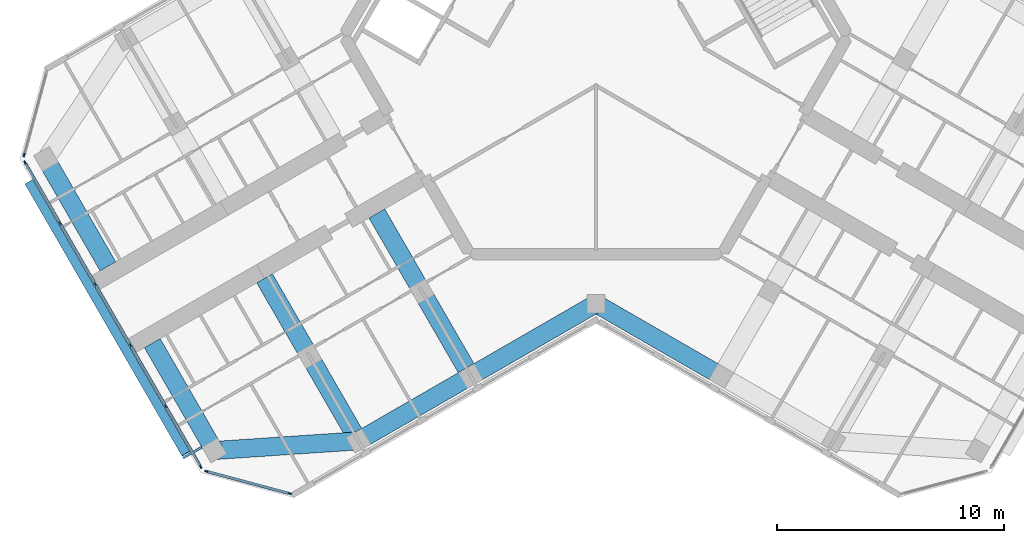
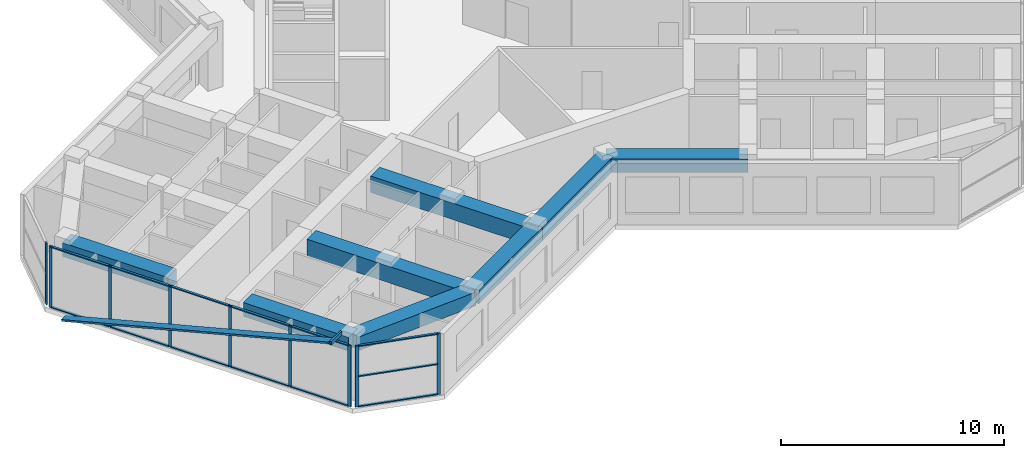
# One storey, part 2 of 14: 24 members, 8 beams, 3 elements without a shape of their own.
"""IFC4 building model written with IfcOpenShell, lengths in metres."""

from ifc_helpers import new_model, si_unit, direction, frame, origin, origin_2d, place, context, subcontext, project, spatial, rectangle, hollow_rectangle, extrude, material, material_profile, profile_set, type_object, element, aggregate, save


model = new_model("IFC4")

# Units and contexts
model_context = context("Model", 3, precision=1e-05, world=origin(), true_north=direction((0.0, 1.0)))
body_context = subcontext(model_context, "Body", "Model", "MODEL_VIEW")
ifc_project = project(units=[si_unit("LENGTHUNIT", "METRE"), si_unit("AREAUNIT", "SQUARE_METRE"), si_unit("VOLUMEUNIT", "CUBIC_METRE"), si_unit("PLANEANGLEUNIT", "RADIAN"), si_unit("MASSUNIT", "GRAM", prefix="KILO")], contexts=[model_context])

# Site, building, storey
site_placement = place(None, origin())
site = spatial("IfcSite", under=ifc_project, at=site_placement, CompositionType="ELEMENT")
building_placement = place(site_placement, origin())
building = spatial("IfcBuilding", under=site, at=building_placement, Name="Kosmar Iwan School Tower", CompositionType="ELEMENT")
storey_placement = place(building_placement, frame((0.0, 0.0, 292.60009765625)))
storey = spatial("IfcBuildingStorey", under=building, at=storey_placement, Name="L74", CompositionType="ELEMENT", Elevation=292.60009765625)

# Members
ifc_material_1 = material(Name="Black anodised aluminium", Category="aluminium")
ifc_material_profile_1 = material_profile(ifc_material_1, rectangle(XDim=0.10009765625, YDim=0.39990234375, at=origin_2d()), Name="FIN 100x400")
ifc_profile_set_1 = profile_set([ifc_material_profile_1], Name="Black anodised aluminium")
member_type_1 = type_object("IfcMemberType", Name="Diagonal fin 100x400", PredefinedType="USERDEFINED", material=ifc_profile_set_1)
member_1_placement = place(storey_placement, frame((-24.926513671875, -6.426025390625, -0.150146484375), z_axis=(0.483800388566, -0.837965217343, 0.2524905514), x_axis=(-0.126245460598, 0.218663124976, 0.96759935999)))
element("IfcMember", 1, at=member_1_placement, inside=storey, type_object=member_type_1, Name="Diagonal fin L74-F13", ObjectType="FIN", PredefinedType="USERDEFINED", context=body_context, shape_type="SweptSolid", body=[
    extrude(rectangle(XDim=0.10009765625, YDim=0.39990234375, at=origin_2d()), origin(), (0.0, 0.0, 1.0), 14.25830078125),
])
ifc_material_2 = material(Name="Steel S355", Category="steel")
ifc_material_profile_2 = material_profile(ifc_material_2, hollow_rectangle(XDim=0.10009765625, YDim=0.199951171875, WallThickness=0.008056640625, at=origin_2d()), Name="RHS 200x100x8")
ifc_profile_set_2 = profile_set([ifc_material_profile_2], Name="Steel S355")
member_type_2 = type_object("IfcMemberType", Name="Fin bracket RHS 200x100", PredefinedType="USERDEFINED", material=ifc_profile_set_2)
member_2_placement = place(storey_placement, frame((-17.327880859375, -18.087158203125, 3.474853515625), z_axis=(-0.865988727248, -0.500063520245, 0.0), x_axis=(0.500063520245, -0.865988727248, 0.0)))
element("IfcMember", 2, at=member_2_placement, inside=storey, type_object=member_type_2, Name="Fin bracket L75", ObjectType="FIN BRACKET", PredefinedType="USERDEFINED", context=body_context, shape_type="SweptSolid", body=[
    extrude(hollow_rectangle(XDim=0.10009765625, YDim=0.199951171875, WallThickness=0.008056640625, at=origin_2d()), origin(), (0.0, 0.0, 1.0), 0.9501953125),
])

# Curtain wall, member
ifc_material_3 = material(Name="Dark glass in black aluminium frame", Category="aluminium")
curtain_wall_type_1 = type_object("IfcCurtainWallType", Name="Chamfer curtain wall dark glass", PredefinedType="USERDEFINED", material=ifc_material_3)
curtain_wall_1_placement = place(storey_placement, origin())
curtain_wall_1 = element("IfcCurtainWall", 3, at=curtain_wall_1_placement, inside=storey, type_object=curtain_wall_type_1, Name="Curtain wall L74-F12", ObjectType="FACETED CURTAIN WALL", PredefinedType="USERDEFINED")
ifc_material_4 = material(Name="Black anodised aluminium", Category="aluminium")
ifc_material_profile_3 = material_profile(ifc_material_4, rectangle(XDim=0.06005859375, YDim=0.159912109375, at=origin_2d()), Name="MULLION 60x160")
ifc_profile_set_3 = profile_set([ifc_material_profile_3], Name="Black anodised aluminium")
member_type_3 = type_object("IfcMemberType", Name="Mullion 60x160", PredefinedType="MULLION", material=ifc_profile_set_3)
member_3_placement = place(storey_placement, frame((-25.141845703125, -5.24853515625, 0.0), z_axis=(0.0, 0.0, 1.0), x_axis=(0.965925875495, -0.258818861462, 0.0)))
member_3 = element("IfcMember", 4, at=member_3_placement, type_object=member_type_3, Name="CW2 mullion 2", PredefinedType="MULLION", context=body_context, shape_type="SweptSolid", body=[
    extrude(rectangle(XDim=0.06005859375, YDim=0.159912109375, at=origin_2d()), origin(), (0.0, 0.0, 1.0), 3.349853515625),
])
aggregate(curtain_wall_1, [member_3])

# Curtain wall, members
ifc_material_5 = material(Name="Dark glass in black aluminium frame", Category="aluminium")
curtain_wall_type_2 = type_object("IfcCurtainWallType", Name="Tower curtain wall dark glass", PredefinedType="USERDEFINED", material=ifc_material_5)
curtain_wall_2_placement = place(storey_placement, origin())
curtain_wall_2 = element("IfcCurtainWall", 5, at=curtain_wall_2_placement, inside=storey, type_object=curtain_wall_type_2, Name="Curtain wall L74-F13", ObjectType="UNITISED CURTAIN WALL", PredefinedType="USERDEFINED")
member_4_placement = place(storey_placement, frame((-25.098388671875, -5.578369140625, 0.0), z_axis=(0.0, 0.0, 1.0), x_axis=(0.866025405329, 0.499999997325, 0.0)))
member_4 = element("IfcMember", 6, at=member_4_placement, type_object=member_type_3, Name="CW1 mullion 1", PredefinedType="MULLION", context=body_context, shape_type="SweptSolid", body=[
    extrude(rectangle(XDim=0.06005859375, YDim=0.159912109375, at=origin_2d()), origin(), (0.0, 0.0, 1.0), 3.349853515625),
])
member_5_placement = place(storey_placement, frame((-23.563720703125, -8.236328125, 0.0), z_axis=(0.0, 0.0, 1.0), x_axis=(0.866025405329, 0.499999997325, 0.0)))
member_5 = element("IfcMember", 7, at=member_5_placement, type_object=member_type_3, Name="CW1 mullion 2", PredefinedType="MULLION", context=body_context, shape_type="SweptSolid", body=[
    extrude(rectangle(XDim=0.06005859375, YDim=0.159912109375, at=origin_2d()), origin(), (0.0, 0.0, 1.0), 3.349853515625),
])
member_6_placement = place(storey_placement, frame((-22.01416015625, -10.92041015625, 0.0), z_axis=(0.0, 0.0, 1.0), x_axis=(0.866025405329, 0.499999997325, 0.0)))
member_6 = element("IfcMember", 8, at=member_6_placement, type_object=member_type_3, Name="CW1 mullion 3", PredefinedType="MULLION", context=body_context, shape_type="SweptSolid", body=[
    extrude(rectangle(XDim=0.06005859375, YDim=0.159912109375, at=origin_2d()), origin(), (0.0, 0.0, 1.0), 3.349853515625),
])
member_7_placement = place(storey_placement, frame((-20.46435546875, -13.6044921875, 0.0), z_axis=(0.0, 0.0, 1.0), x_axis=(0.866025405329, 0.499999997325, 0.0)))
member_7 = element("IfcMember", 9, at=member_7_placement, type_object=member_type_3, Name="CW1 mullion 4", PredefinedType="MULLION", context=body_context, shape_type="SweptSolid", body=[
    extrude(rectangle(XDim=0.06005859375, YDim=0.159912109375, at=origin_2d()), origin(), (0.0, 0.0, 1.0), 3.349853515625),
])
member_8_placement = place(storey_placement, frame((-18.914794921875, -16.28857421875, 0.0), z_axis=(0.0, 0.0, 1.0), x_axis=(0.866025405329, 0.499999997325, 0.0)))
member_8 = element("IfcMember", 10, at=member_8_placement, type_object=member_type_3, Name="CW1 mullion 5", PredefinedType="MULLION", context=body_context, shape_type="SweptSolid", body=[
    extrude(rectangle(XDim=0.06005859375, YDim=0.159912109375, at=origin_2d()), origin(), (0.0, 0.0, 1.0), 3.349853515625),
])
member_9_placement = place(storey_placement, frame((-17.380126953125, -18.94677734375, 0.0), z_axis=(0.0, 0.0, 1.0), x_axis=(0.866025405329, 0.499999997325, 0.0)))
member_9 = element("IfcMember", 11, at=member_9_placement, type_object=member_type_3, Name="CW1 mullion 6", PredefinedType="MULLION", context=body_context, shape_type="SweptSolid", body=[
    extrude(rectangle(XDim=0.06005859375, YDim=0.159912109375, at=origin_2d()), origin(), (0.0, 0.0, 1.0), 3.349853515625),
])

curtain_wall_3_placement = place(storey_placement, origin())
curtain_wall_3 = element("IfcCurtainWall", 12, at=curtain_wall_3_placement, inside=storey, type_object=curtain_wall_type_1, Name="Curtain wall L74-F14", ObjectType="FACETED CURTAIN WALL", PredefinedType="USERDEFINED")
member_10_placement = place(storey_placement, frame((-17.1162109375, -19.149169921875, 0.0), z_axis=(0.0, 0.0, 1.0), x_axis=(0.258818861462, 0.965925875495, 0.0)))
member_10 = element("IfcMember", 13, at=member_10_placement, type_object=member_type_3, Name="CW2 mullion 1", PredefinedType="MULLION", context=body_context, shape_type="SweptSolid", body=[
    extrude(rectangle(XDim=0.06005859375, YDim=0.159912109375, at=origin_2d()), origin(), (0.0, 0.0, 1.0), 3.349853515625),
])
member_11_placement = place(storey_placement, frame((-13.466064453125, -20.127197265625, 0.0), z_axis=(0.0, 0.0, 1.0), x_axis=(0.258818861462, 0.965925875495, 0.0)))
member_11 = element("IfcMember", 14, at=member_11_placement, type_object=member_type_3, Name="CW2 mullion 2", PredefinedType="MULLION", context=body_context, shape_type="SweptSolid", body=[
    extrude(rectangle(XDim=0.06005859375, YDim=0.159912109375, at=origin_2d()), origin(), (0.0, 0.0, 1.0), 3.349853515625),
])

# Beams
ifc_material_6 = material(Name="Concrete C50/60", Category="concrete")
ifc_material_profile_4 = material_profile(ifc_material_6, rectangle(XDim=0.800048828125, YDim=0.75, at=origin_2d()), Name="RC 800x750")
ifc_profile_set_4 = profile_set([ifc_material_profile_4], Name="Concrete C50/60")
beam_type_1 = type_object("IfcBeamType", Name="RC edge beam 800x750", PredefinedType="BEAM", material=ifc_profile_set_4)
beam_1_placement = place(storey_placement, frame((0.0, -11.77783203125, 2.974853515625), z_axis=(-0.866014293216, -0.500019243575, 0.0), x_axis=(0.500019243575, -0.866014293216, 0.0)))
element("IfcBeam", 15, at=beam_1_placement, inside=storey, type_object=beam_type_1, Name="Edge beam BL1", PredefinedType="BEAM", context=body_context, shape_type="SweptSolid", body=[
    extrude(rectangle(XDim=0.800048828125, YDim=0.75, at=origin_2d()), origin(), (0.0, 0.0, 1.0), 6.361083984375),
])
beam_2_placement = place(storey_placement, frame((-5.5087890625, -14.95849609375, 2.974853515625), z_axis=(-0.866033658841, -0.49998570155, 0.0), x_axis=(0.49998570155, -0.866033658841, 0.0)))
element("IfcBeam", 16, at=beam_2_placement, inside=storey, type_object=beam_type_1, Name="Edge beam BL2", PredefinedType="BEAM", context=body_context, shape_type="SweptSolid", body=[
    extrude(rectangle(XDim=0.800048828125, YDim=0.75, at=origin_2d()), origin(), (0.0, 0.0, 1.0), 5.699951171875),
])
beam_3_placement = place(storey_placement, frame((0.0, -11.77783203125, 2.974853515625), z_axis=(0.866014293216, -0.500019243575, 0.0), x_axis=(0.500019243575, 0.866014293216, 0.0)))
element("IfcBeam", 17, at=beam_3_placement, inside=storey, type_object=beam_type_1, Name="Edge beam CR1", PredefinedType="BEAM", context=body_context, shape_type="SweptSolid", body=[
    extrude(rectangle(XDim=0.800048828125, YDim=0.75, at=origin_2d()), origin(), (0.0, 0.0, 1.0), 6.361083984375),
])
ifc_material_7 = material(Name="Concrete C50/60", Category="concrete")
ifc_material_profile_5 = material_profile(ifc_material_7, rectangle(XDim=0.800048828125, YDim=0.75, at=origin_2d()), Name="RC 800x750")
ifc_profile_set_5 = profile_set([ifc_material_profile_5], Name="Concrete C50/60")
beam_type_2 = type_object("IfcBeamType", Name="RC tip beam 800x750", PredefinedType="BEAM", material=ifc_profile_set_5)
beam_4_placement = place(storey_placement, frame((-10.445068359375, -17.808349609375, 2.974853515625), z_axis=(-0.997755118724, -0.066968074933, 0.0), x_axis=(0.066968074933, -0.997755118724, 0.0)))
element("IfcBeam", 18, at=beam_4_placement, inside=storey, type_object=beam_type_2, Name="Tip beam BL", PredefinedType="BEAM", context=body_context, shape_type="SweptSolid", body=[
    extrude(rectangle(XDim=0.800048828125, YDim=0.75, at=origin_2d()), origin(), (0.0, 0.0, 1.0), 6.3505859375),
])
beam_5_placement = place(storey_placement, frame((-16.781494140625, -18.233642578125, 2.974853515625), z_axis=(-0.500002931134, 0.866023711487, 0.0), x_axis=(-0.866023711487, -0.500002931134, 0.0)))
element("IfcBeam", 19, at=beam_5_placement, inside=storey, type_object=beam_type_2, Name="Tip beam BL to corridor wall", PredefinedType="BEAM", context=body_context, shape_type="SweptSolid", body=[
    extrude(rectangle(XDim=0.800048828125, YDim=0.75, at=origin_2d()), origin(), (0.0, 0.0, 1.0), 5.4501953125),
])
beam_6_placement = place(storey_placement, frame((-24.181396484375, -5.41650390625, 2.974853515625), z_axis=(0.499988730927, -0.866031909889, 0.0), x_axis=(0.866031909889, 0.499988730927, 0.0)))
element("IfcBeam", 20, at=beam_6_placement, inside=storey, type_object=beam_type_2, Name="Tip beam BR to corridor wall", PredefinedType="BEAM", context=body_context, shape_type="SweptSolid", body=[
    extrude(rectangle(XDim=0.800048828125, YDim=0.75, at=origin_2d()), origin(), (0.0, 0.0, 1.0), 5.449951171875),
])
ifc_material_8 = material(Name="Concrete C50/60", Category="concrete")
ifc_material_profile_6 = material_profile(ifc_material_8, rectangle(XDim=0.800048828125, YDim=0.89990234375, at=origin_2d()), Name="RC 800x900")
ifc_profile_set_6 = profile_set([ifc_material_profile_6], Name="Concrete C50/60")
beam_type_3 = type_object("IfcBeamType", Name="RC transverse beam 800x900", PredefinedType="BEAM", material=ifc_profile_set_6)
beam_7_placement = place(storey_placement, frame((-5.5087890625, -14.95849609375, 2.89990234375), z_axis=(-0.499996545922, 0.866027397988, 0.0), x_axis=(-0.866027397988, -0.499996545922, 0.0)))
element("IfcBeam", 21, at=beam_7_placement, inside=storey, type_object=beam_type_3, Name="Transverse beam BL1", PredefinedType="BEAM", context=body_context, shape_type="SweptSolid", body=[
    extrude(rectangle(XDim=0.800048828125, YDim=0.89990234375, at=origin_2d()), origin(), (0.0, 0.0, 1.0), 8.25),
])
beam_8_placement = place(storey_placement, frame((-10.445068359375, -17.808349609375, 2.89990234375), z_axis=(-0.500009360108, 0.866019999656, 0.0), x_axis=(-0.866019999656, -0.500009360108, 0.0)))
element("IfcBeam", 22, at=beam_8_placement, inside=storey, type_object=beam_type_3, Name="Transverse beam BL2", PredefinedType="BEAM", context=body_context, shape_type="SweptSolid", body=[
    extrude(rectangle(XDim=0.800048828125, YDim=0.89990234375, at=origin_2d()), origin(), (0.0, 0.0, 1.0), 8.249755859375),
])

# Member
ifc_material_9 = material(Name="Black anodised aluminium", Category="aluminium")
ifc_material_profile_7 = material_profile(ifc_material_9, rectangle(XDim=0.1201171875, YDim=0.06005859375, at=origin_2d()), Name="TRANSOM 60x120")
ifc_profile_set_7 = profile_set([ifc_material_profile_7], Name="Black anodised aluminium")
member_type_4 = type_object("IfcMemberType", Name="Transom 60x120", PredefinedType="USERDEFINED", material=ifc_profile_set_7)
member_12_placement = place(storey_placement, frame((-25.08349609375, -5.604248046875, 0.02978515625), z_axis=(0.499986971506, -0.866032925658, 0.0), x_axis=(0.866032925658, 0.499986971506, 0.0)))
member_12 = element("IfcMember", 23, at=member_12_placement, type_object=member_type_4, Name="CW1 transom 1.1", ObjectType="TRANSOM", PredefinedType="USERDEFINED", context=body_context, shape_type="SweptSolid", body=[
    extrude(rectangle(XDim=0.1201171875, YDim=0.06005859375, at=origin_2d()), origin(), (0.0, 0.0, 1.0), 3.00927734375),
])

member_13_placement = place(storey_placement, frame((-25.08349609375, -5.604248046875, 3.31982421875), z_axis=(0.499986971506, -0.866032925658, 0.0), x_axis=(0.866032925658, 0.499986971506, 0.0)))
member_13 = element("IfcMember", 24, at=member_13_placement, type_object=member_type_4, Name="CW1 transom 1.2", ObjectType="TRANSOM", PredefinedType="USERDEFINED", context=body_context, shape_type="SweptSolid", body=[
    extrude(rectangle(XDim=0.1201171875, YDim=0.06005859375, at=origin_2d()), origin(), (0.0, 0.0, 1.0), 3.00927734375),
])

member_14_placement = place(storey_placement, frame((-23.548828125, -8.262451171875, 0.02978515625), z_axis=(0.500035348339, -0.866004994449, 0.0), x_axis=(0.866004994449, 0.500035348339, 0.0)))
member_14 = element("IfcMember", 25, at=member_14_placement, type_object=member_type_4, Name="CW1 transom 2.1", ObjectType="TRANSOM", PredefinedType="USERDEFINED", context=body_context, shape_type="SweptSolid", body=[
    extrude(rectangle(XDim=0.1201171875, YDim=0.06005859375, at=origin_2d()), origin(), (0.0, 0.0, 1.0), 3.039306640625),
])

member_15_placement = place(storey_placement, frame((-23.548828125, -8.262451171875, 3.31982421875), z_axis=(0.500035348339, -0.866004994449, 0.0), x_axis=(0.866004994449, 0.500035348339, 0.0)))
member_15 = element("IfcMember", 26, at=member_15_placement, type_object=member_type_4, Name="CW1 transom 2.2", ObjectType="TRANSOM", PredefinedType="USERDEFINED", context=body_context, shape_type="SweptSolid", body=[
    extrude(rectangle(XDim=0.1201171875, YDim=0.06005859375, at=origin_2d()), origin(), (0.0, 0.0, 1.0), 3.039306640625),
])

member_16_placement = place(storey_placement, frame((-21.9990234375, -10.946533203125, 0.02978515625), z_axis=(0.499975102327, -0.866039777986, 0.0), x_axis=(0.866039777986, 0.499975102327, 0.0)))
member_16 = element("IfcMember", 27, at=member_16_placement, type_object=member_type_4, Name="CW1 transom 3.1", ObjectType="TRANSOM", PredefinedType="USERDEFINED", context=body_context, shape_type="SweptSolid", body=[
    extrude(rectangle(XDim=0.1201171875, YDim=0.06005859375, at=origin_2d()), origin(), (0.0, 0.0, 1.0), 3.039306640625),
])

member_17_placement = place(storey_placement, frame((-21.9990234375, -10.946533203125, 3.31982421875), z_axis=(0.499975102327, -0.866039777986, 0.0), x_axis=(0.866039777986, 0.499975102327, 0.0)))
member_17 = element("IfcMember", 28, at=member_17_placement, type_object=member_type_4, Name="CW1 transom 3.2", ObjectType="TRANSOM", PredefinedType="USERDEFINED", context=body_context, shape_type="SweptSolid", body=[
    extrude(rectangle(XDim=0.1201171875, YDim=0.06005859375, at=origin_2d()), origin(), (0.0, 0.0, 1.0), 3.039306640625),
])

member_18_placement = place(storey_placement, frame((-20.449462890625, -13.630615234375, 0.02978515625), z_axis=(0.500035348339, -0.866004994449, 0.0), x_axis=(0.866004994449, 0.500035348339, 0.0)))
member_18 = element("IfcMember", 29, at=member_18_placement, type_object=member_type_4, Name="CW1 transom 4.1", ObjectType="TRANSOM", PredefinedType="USERDEFINED", context=body_context, shape_type="SweptSolid", body=[
    extrude(rectangle(XDim=0.1201171875, YDim=0.06005859375, at=origin_2d()), origin(), (0.0, 0.0, 1.0), 3.039306640625),
])

member_19_placement = place(storey_placement, frame((-20.449462890625, -13.630615234375, 3.31982421875), z_axis=(0.500035348339, -0.866004994449, 0.0), x_axis=(0.866004994449, 0.500035348339, 0.0)))
member_19 = element("IfcMember", 30, at=member_19_placement, type_object=member_type_4, Name="CW1 transom 4.2", ObjectType="TRANSOM", PredefinedType="USERDEFINED", context=body_context, shape_type="SweptSolid", body=[
    extrude(rectangle(XDim=0.1201171875, YDim=0.06005859375, at=origin_2d()), origin(), (0.0, 0.0, 1.0), 3.039306640625),
])

member_20_placement = place(storey_placement, frame((-18.89990234375, -16.314697265625, 0.02978515625), z_axis=(0.500022102064, -0.866012642776, 0.0), x_axis=(0.866012642776, 0.500022102064, 0.0)))
member_20 = element("IfcMember", 31, at=member_20_placement, type_object=member_type_4, Name="CW1 transom 5.1", ObjectType="TRANSOM", PredefinedType="USERDEFINED", context=body_context, shape_type="SweptSolid", body=[
    extrude(rectangle(XDim=0.1201171875, YDim=0.06005859375, at=origin_2d()), origin(), (0.0, 0.0, 1.0), 3.009033203125),
])

member_21_placement = place(storey_placement, frame((-18.89990234375, -16.314697265625, 3.31982421875), z_axis=(0.500022102064, -0.866012642776, 0.0), x_axis=(0.866012642776, 0.500022102064, 0.0)))
member_21 = element("IfcMember", 32, at=member_21_placement, type_object=member_type_4, Name="CW1 transom 5.2", ObjectType="TRANSOM", PredefinedType="USERDEFINED", context=body_context, shape_type="SweptSolid", body=[
    extrude(rectangle(XDim=0.1201171875, YDim=0.06005859375, at=origin_2d()), origin(), (0.0, 0.0, 1.0), 3.009033203125),
])

aggregate(curtain_wall_2, [member_4, member_5, member_6, member_7, member_8, member_9, member_12, member_13, member_14, member_15, member_16, member_17, member_18, member_19, member_20, member_21])

member_22_placement = place(storey_placement, frame((-17.08740234375, -19.156982421875, 0.02978515625), z_axis=(0.965940141052, -0.258765615768, 0.0), x_axis=(0.258765615768, 0.965940141052, 0.0)))
member_22 = element("IfcMember", 33, at=member_22_placement, type_object=member_type_4, Name="CW2 transom 1.1", ObjectType="TRANSOM", PredefinedType="USERDEFINED", context=body_context, shape_type="SweptSolid", body=[
    extrude(rectangle(XDim=0.1201171875, YDim=0.06005859375, at=origin_2d()), origin(), (0.0, 0.0, 1.0), 3.71923828125),
])

member_23_placement = place(storey_placement, frame((-17.08740234375, -19.156982421875, 1.6748046875), z_axis=(0.965940141052, -0.258765615768, 0.0), x_axis=(0.258765615768, 0.965940141052, 0.0)))
member_23 = element("IfcMember", 34, at=member_23_placement, type_object=member_type_4, Name="CW2 transom 1.2", ObjectType="TRANSOM", PredefinedType="USERDEFINED", context=body_context, shape_type="SweptSolid", body=[
    extrude(rectangle(XDim=0.1201171875, YDim=0.06005859375, at=origin_2d()), origin(), (0.0, 0.0, 1.0), 3.71923828125),
])

member_24_placement = place(storey_placement, frame((-17.08740234375, -19.156982421875, 3.31982421875), z_axis=(0.965940141052, -0.258765615768, 0.0), x_axis=(0.258765615768, 0.965940141052, 0.0)))
member_24 = element("IfcMember", 35, at=member_24_placement, type_object=member_type_4, Name="CW2 transom 1.3", ObjectType="TRANSOM", PredefinedType="USERDEFINED", context=body_context, shape_type="SweptSolid", body=[
    extrude(rectangle(XDim=0.1201171875, YDim=0.06005859375, at=origin_2d()), origin(), (0.0, 0.0, 1.0), 3.71923828125),
])

aggregate(curtain_wall_3, [member_10, member_11, member_22, member_23, member_24])

save(model, "model.ifc")
